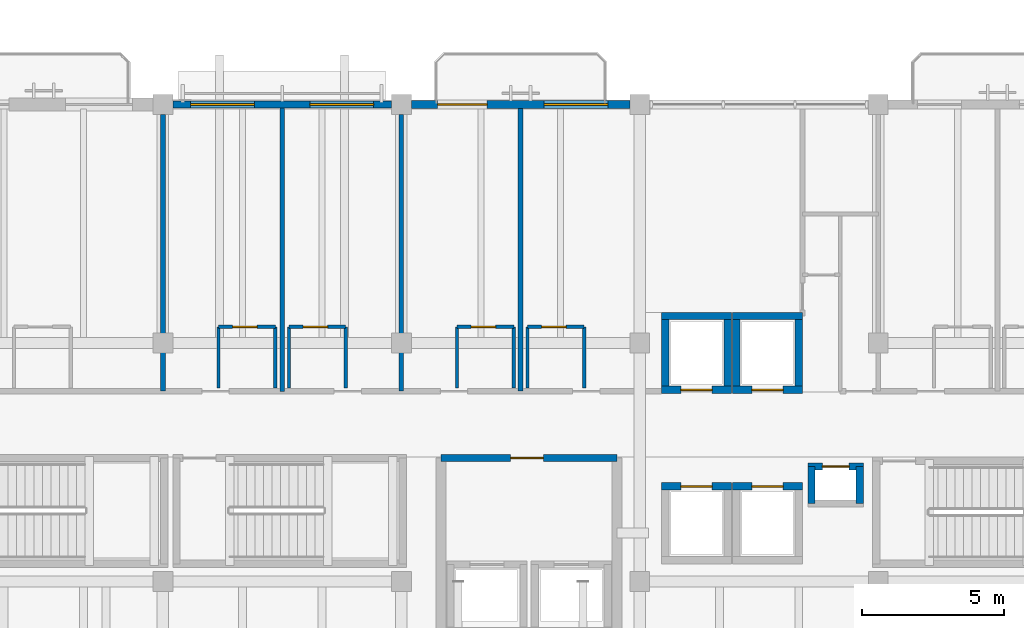
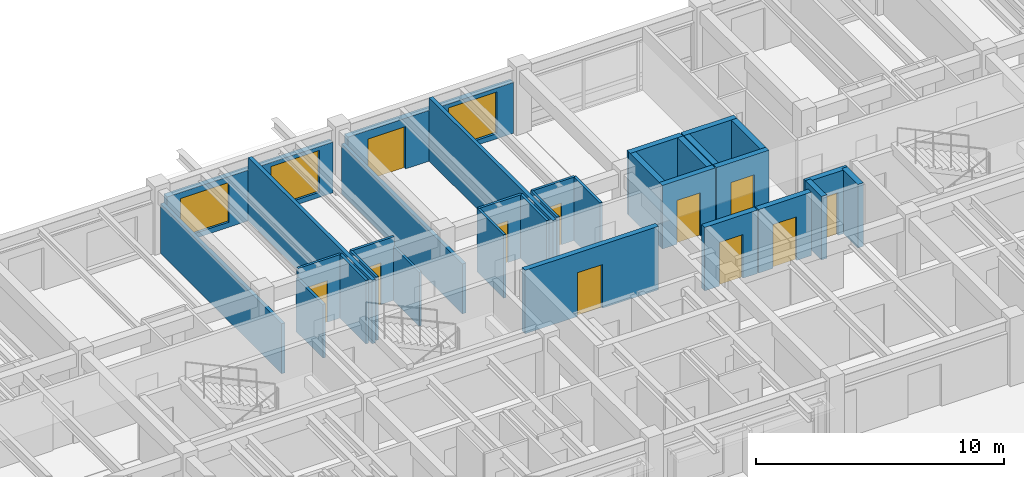
# One storey, part 90 of 111: 32 walls, 11 doors, 3 windows, 14 openings.
"""IFC4 building model written with IfcOpenShell, lengths in metres."""

from ifc_helpers import new_model, si_unit, direction, frame, frame_2d, origin, place, context, subcontext, project, spatial, rectangle, extrude, material, layer, layer_set, type_object, element, fill, save


model = new_model("IFC4")

# Units and contexts
model_context = context("Model", 3, precision=1e-05, world=origin(), true_north=direction((0.0, 1.0)))
body_context = subcontext(model_context, "Body", "Model", "MODEL_VIEW")
ifc_project = project(units=[si_unit("LENGTHUNIT", "METRE"), si_unit("AREAUNIT", "SQUARE_METRE"), si_unit("VOLUMEUNIT", "CUBIC_METRE"), si_unit("PLANEANGLEUNIT", "RADIAN"), si_unit("MASSUNIT", "GRAM", prefix="KILO")], contexts=[model_context])

# Site, building, storey
site_placement = place(None, origin())
site = spatial("IfcSite", under=ifc_project, at=site_placement, CompositionType="ELEMENT")
building_placement = place(site_placement, origin())
building = spatial("IfcBuilding", under=site, at=building_placement, Name="Cumbredor Promenade Congress Hotel", CompositionType="ELEMENT")
storey_placement = place(building_placement, frame((0.0, 0.0, 15.1201171875)))
storey = spatial("IfcBuildingStorey", under=building, at=storey_placement, Name="L04", CompositionType="ELEMENT", Elevation=15.1201171875)

# Wall, opening, door
ifc_material_1 = material(Name="Moisture-resistant gypsum board on steel studs", Category="steel")
ifc_layer_1 = layer(ifc_material_1, 0.114990234375, Name="Moisture-resistant gypsum board on steel studs", Category="steel")
ifc_layer_set_1 = layer_set([ifc_layer_1], Name="Moisture-resistant gypsum board on steel studs")
wall_type_1 = type_object("IfcWallType", Name="WL-BATH-115", PredefinedType="PARTITIONING", material=ifc_layer_set_1)
wall_1_placement = place(storey_placement, frame((18.760009765625, 109.77001953125, 0.0), z_axis=(0.0, 0.0, 1.0), x_axis=(1.0, 0.0, 0.0)))
wall_1 = element("IfcWall", 1, at=wall_1_placement, inside=storey, type_object=wall_type_1, Name="L04 Interior Partition W-L04-BH-0404", PredefinedType="PARTITIONING", context=body_context, shape_type="SweptSolid", body=[
    extrude(rectangle(XDim=2.0, YDim=0.114990234375, at=frame_2d((1.0, 0.0))), origin(), (0.0, 0.0, 1.0), 3.119873046875),
])
opening_1_placement = place(wall_1_placement, frame((0.5, 0.0, 0.0)))
opening_1 = element("IfcOpeningElement", 2, at=opening_1_placement, cuts=wall_1, Name="Opening ID-01", PredefinedType="OPENING", context=body_context, shape_type="SweptSolid", body=[
    extrude(rectangle(XDim=0.860107421875, YDim=2.050048828125, at=frame_2d((0.43017578125, 1.02490234375))), frame((0.0, 0.0673828125, 0.0), z_axis=(0.0, -1.0, 0.0), x_axis=(1.0, 0.0, 0.0)), (0.0, 0.0, 1.0), 0.135009765625),
])
ifc_material_2 = material(Name="Kiln-dried tropical hardwood", Category="wood")
door_type_1 = type_object("IfcDoorType", Name="DR-BATH-860", OperationType="NOTDEFINED", PredefinedType="DOOR", material=ifc_material_2)
door_1_placement = place(opening_1_placement, origin())
door_1 = element("IfcDoor", 3, at=door_1_placement, inside=storey, type_object=door_type_1, Name="L04 Interior Door W-L04-BH-0404-01", OperationType="SINGLE_SWING_LEFT", OverallHeight=2.050048828125, OverallWidth=0.860107421875, PredefinedType="DOOR", context=body_context, shape_type="SweptSolid", body=[
    extrude(rectangle(XDim=0.860107421875, YDim=2.050048828125, at=frame_2d((0.43017578125, 1.02490234375))), frame((0.0, 0.02490234375, 0.0), z_axis=(0.0, -1.0, 0.0), x_axis=(1.0, 0.0, 0.0)), (0.0, 0.0, 1.0), 0.050048828125),
])
fill(opening_1, door_1)

# Walls
wall_2_placement = place(storey_placement, frame((18.760009765625, 107.6201171875, 0.0), z_axis=(0.0, 0.0, 1.0), x_axis=(0.0, 1.0, 0.0)))
element("IfcWall", 4, at=wall_2_placement, inside=storey, type_object=wall_type_1, Name="L04 Interior Partition W-L04-BV1-0404", PredefinedType="PARTITIONING", context=body_context, shape_type="SweptSolid", body=[
    extrude(rectangle(XDim=2.14990234375, YDim=0.114990234375, at=frame_2d((1.074951171875, 0.0))), origin(), (0.0, 0.0, 1.0), 2.641845703125),
])
wall_3_placement = place(storey_placement, frame((20.760009765625, 107.6201171875, 0.0), z_axis=(0.0, 0.0, 1.0), x_axis=(0.0, 1.0, 0.0)))
element("IfcWall", 5, at=wall_3_placement, inside=storey, type_object=wall_type_1, Name="L04 Interior Partition W-L04-BV2-0404", PredefinedType="PARTITIONING", context=body_context, shape_type="SweptSolid", body=[
    extrude(rectangle(XDim=2.14990234375, YDim=0.114990234375, at=frame_2d((1.074951171875, 0.0))), origin(), (0.0, 0.0, 1.0), 3.119873046875),
])

# Wall, opening, door
wall_4_placement = place(storey_placement, frame((21.239990234375, 109.77001953125, 0.0), z_axis=(0.0, 0.0, 1.0), x_axis=(1.0, 0.0, 0.0)))
wall_4 = element("IfcWall", 6, at=wall_4_placement, inside=storey, type_object=wall_type_1, Name="L04 Interior Partition W-L04-BH-0405", PredefinedType="PARTITIONING", context=body_context, shape_type="SweptSolid", body=[
    extrude(rectangle(XDim=2.0, YDim=0.114990234375, at=frame_2d((1.0, 0.0))), origin(), (0.0, 0.0, 1.0), 3.119873046875),
])
opening_2_placement = place(wall_4_placement, frame((0.5, 0.0, 0.0)))
opening_2 = element("IfcOpeningElement", 7, at=opening_2_placement, cuts=wall_4, Name="Opening ID-01", PredefinedType="OPENING", context=body_context, shape_type="SweptSolid", body=[
    extrude(rectangle(XDim=0.860107421875, YDim=2.050048828125, at=frame_2d((0.43017578125, 1.02490234375))), frame((0.0, 0.0673828125, 0.0), z_axis=(0.0, -1.0, 0.0), x_axis=(1.0, 0.0, 0.0)), (0.0, 0.0, 1.0), 0.135009765625),
])
door_2_placement = place(opening_2_placement, origin())
door_2 = element("IfcDoor", 8, at=door_2_placement, inside=storey, type_object=door_type_1, Name="L04 Interior Door W-L04-BH-0405-01", OperationType="SINGLE_SWING_RIGHT", OverallHeight=2.050048828125, OverallWidth=0.860107421875, PredefinedType="DOOR", context=body_context, shape_type="SweptSolid", body=[
    extrude(rectangle(XDim=0.860107421875, YDim=2.050048828125, at=frame_2d((0.43017578125, 1.02490234375))), frame((0.0, 0.02490234375, 0.0), z_axis=(0.0, -1.0, 0.0), x_axis=(1.0, 0.0, 0.0)), (0.0, 0.0, 1.0), 0.050048828125),
])
fill(opening_2, door_2)

# Walls
wall_5_placement = place(storey_placement, frame((21.239990234375, 107.6201171875, 0.0), z_axis=(0.0, 0.0, 1.0), x_axis=(0.0, 1.0, 0.0)))
element("IfcWall", 9, at=wall_5_placement, inside=storey, type_object=wall_type_1, Name="L04 Interior Partition W-L04-BV1-0405", PredefinedType="PARTITIONING", context=body_context, shape_type="SweptSolid", body=[
    extrude(rectangle(XDim=2.14990234375, YDim=0.114990234375, at=frame_2d((1.074951171875, 0.0))), origin(), (0.0, 0.0, 1.0), 3.119873046875),
])
wall_6_placement = place(storey_placement, frame((23.239990234375, 107.6201171875, 0.0), z_axis=(0.0, 0.0, 1.0), x_axis=(0.0, 1.0, 0.0)))
element("IfcWall", 10, at=wall_6_placement, inside=storey, type_object=wall_type_1, Name="L04 Interior Partition W-L04-BV2-0405", PredefinedType="PARTITIONING", context=body_context, shape_type="SweptSolid", body=[
    extrude(rectangle(XDim=2.14990234375, YDim=0.114990234375, at=frame_2d((1.074951171875, 0.0))), origin(), (0.0, 0.0, 1.0), 2.641845703125),
])

# Wall, opening, door
wall_7_placement = place(storey_placement, frame((27.159912109375, 109.77001953125, 0.0), z_axis=(0.0, 0.0, 1.0), x_axis=(1.0, 0.0, 0.0)))
wall_7 = element("IfcWall", 11, at=wall_7_placement, inside=storey, type_object=wall_type_1, Name="L04 Interior Partition W-L04-BH-0406", PredefinedType="PARTITIONING", context=body_context, shape_type="SweptSolid", body=[
    extrude(rectangle(XDim=2.0, YDim=0.114990234375, at=frame_2d((1.0, 0.0))), origin(), (0.0, 0.0, 1.0), 3.119873046875),
])
opening_3_placement = place(wall_7_placement, frame((0.5, 0.0, 0.0)))
opening_3 = element("IfcOpeningElement", 12, at=opening_3_placement, cuts=wall_7, Name="Opening ID-01", PredefinedType="OPENING", context=body_context, shape_type="SweptSolid", body=[
    extrude(rectangle(XDim=0.860107421875, YDim=2.050048828125, at=frame_2d((0.43017578125, 1.02490234375))), frame((0.0, 0.0673828125, 0.0), z_axis=(0.0, -1.0, 0.0), x_axis=(1.0, 0.0, 0.0)), (0.0, 0.0, 1.0), 0.135009765625),
])
door_3_placement = place(opening_3_placement, origin())
door_3 = element("IfcDoor", 13, at=door_3_placement, inside=storey, type_object=door_type_1, Name="L04 Interior Door W-L04-BH-0406-01", OperationType="SINGLE_SWING_LEFT", OverallHeight=2.050048828125, OverallWidth=0.860107421875, PredefinedType="DOOR", context=body_context, shape_type="SweptSolid", body=[
    extrude(rectangle(XDim=0.860107421875, YDim=2.050048828125, at=frame_2d((0.43017578125, 1.02490234375))), frame((0.0, 0.02490234375, 0.0), z_axis=(0.0, -1.0, 0.0), x_axis=(1.0, 0.0, 0.0)), (0.0, 0.0, 1.0), 0.050048828125),
])
fill(opening_3, door_3)

# Walls
for number, where, z_axis, x_axis, name in (
    (14, (27.159912109375, 107.6201171875, 0.0), (0.0, 0.0, 1.0), (0.0, 1.0, 0.0), "L04 Interior Partition W-L04-BV1-0406"),
    (15, (29.159912109375, 107.6201171875, 0.0), (0.0, 0.0, 1.0), (0.0, 1.0, 0.0), "L04 Interior Partition W-L04-BV2-0406"),
):
    element("IfcWall", number, at=place(storey_placement, frame(where, z_axis=z_axis, x_axis=x_axis)), inside=storey, type_object=wall_type_1, Name=name, PredefinedType="PARTITIONING", context=body_context, shape_type="SweptSolid", body=[
        extrude(rectangle(XDim=2.14990234375, YDim=0.114990234375, at=frame_2d((1.074951171875, 0.0))), origin(), (0.0, 0.0, 1.0), 3.119873046875),
    ])

# Wall, opening, door
wall_8_placement = place(storey_placement, frame((29.639892578125, 109.77001953125, 0.0), z_axis=(0.0, 0.0, 1.0), x_axis=(1.0, 0.0, 0.0)))
wall_8 = element("IfcWall", 16, at=wall_8_placement, inside=storey, type_object=wall_type_1, Name="L04 Interior Partition W-L04-BH-0407", PredefinedType="PARTITIONING", context=body_context, shape_type="SweptSolid", body=[
    extrude(rectangle(XDim=2.0, YDim=0.114990234375, at=frame_2d((1.0, 0.0))), origin(), (0.0, 0.0, 1.0), 3.119873046875),
])
opening_4_placement = place(wall_8_placement, frame((0.5, 0.0, 0.0)))
opening_4 = element("IfcOpeningElement", 17, at=opening_4_placement, cuts=wall_8, Name="Opening ID-01", PredefinedType="OPENING", context=body_context, shape_type="SweptSolid", body=[
    extrude(rectangle(XDim=0.860107421875, YDim=2.050048828125, at=frame_2d((0.43017578125, 1.02490234375))), frame((0.0, 0.0673828125, 0.0), z_axis=(0.0, -1.0, 0.0), x_axis=(1.0, 0.0, 0.0)), (0.0, 0.0, 1.0), 0.135009765625),
])
door_4_placement = place(opening_4_placement, origin())
door_4 = element("IfcDoor", 18, at=door_4_placement, inside=storey, type_object=door_type_1, Name="L04 Interior Door W-L04-BH-0407-01", OperationType="SINGLE_SWING_RIGHT", OverallHeight=2.050048828125, OverallWidth=0.860107421875, PredefinedType="DOOR", context=body_context, shape_type="SweptSolid", body=[
    extrude(rectangle(XDim=0.860107421875, YDim=2.050048828125, at=frame_2d((0.43017578125, 1.02490234375))), frame((0.0, 0.02490234375, 0.0), z_axis=(0.0, -1.0, 0.0), x_axis=(1.0, 0.0, 0.0)), (0.0, 0.0, 1.0), 0.050048828125),
])
fill(opening_4, door_4)

# Walls
for number, where, z_axis, x_axis, name in (
    (19, (29.639892578125, 107.6201171875, 0.0), (0.0, 0.0, 1.0), (0.0, 1.0, 0.0), "L04 Interior Partition W-L04-BV1-0407"),
    (20, (31.639892578125, 107.6201171875, 0.0), (0.0, 0.0, 1.0), (0.0, 1.0, 0.0), "L04 Interior Partition W-L04-BV2-0407"),
):
    element("IfcWall", number, at=place(storey_placement, frame(where, z_axis=z_axis, x_axis=x_axis)), inside=storey, type_object=wall_type_1, Name=name, PredefinedType="PARTITIONING", context=body_context, shape_type="SweptSolid", body=[
        extrude(rectangle(XDim=2.14990234375, YDim=0.114990234375, at=frame_2d((1.074951171875, 0.0))), origin(), (0.0, 0.0, 1.0), 3.119873046875),
    ])

# Wall, openings, windows
ifc_material_3 = material(Name="Concrete C40/50", Category="concrete")
ifc_layer_2 = layer(ifc_material_3, 0.260009765625, Name="Concrete C40/50", Category="concrete")
ifc_layer_set_2 = layer_set([ifc_layer_2], Name="Concrete C40/50")
wall_type_2 = type_object("IfcWallType", Name="WL-EXT-260", PredefinedType="SOLIDWALL", material=ifc_layer_set_2)
wall_9_placement = place(storey_placement, frame((17.15087890625, 117.60009765625, 0.0), z_axis=(0.0, 0.0, 1.0), x_axis=(1.0, 0.0, 0.0)))
wall_9 = element("IfcWall", 21, at=wall_9_placement, inside=storey, type_object=wall_type_2, Name="L04 Stepped Congress Hotel Wing North Envelope Wall 3", PredefinedType="SOLIDWALL", context=body_context, shape_type="SweptSolid", body=[
    extrude(rectangle(XDim=7.6982421875, YDim=0.260009765625, at=frame_2d((3.84912109375, 0.0))), origin(), (0.0, 0.0, 1.0), 2.493896484375),
])
opening_5_placement = place(wall_9_placement, frame((0.6240234375, 0.0, 0.25)))
opening_5 = element("IfcOpeningElement", 22, at=opening_5_placement, cuts=wall_9, Name="Opening WN-07", PredefinedType="OPENING", context=body_context, shape_type="SweptSolid", body=[
    extrude(rectangle(XDim=2.25, YDim=1.949951171875, at=frame_2d((1.125, 0.97509765625))), frame((0.0, 0.14013671875, 0.0), z_axis=(0.0, -1.0, 0.0), x_axis=(1.0, 0.0, 0.0)), (0.0, 0.0, 1.0), 0.280029296875),
])
opening_6_placement = place(wall_9_placement, frame((4.823974609375, 0.0, 0.25)))
opening_6 = element("IfcOpeningElement", 23, at=opening_6_placement, cuts=wall_9, Name="Opening WN-13", PredefinedType="OPENING", context=body_context, shape_type="SweptSolid", body=[
    extrude(rectangle(XDim=2.25, YDim=2.050048828125, at=frame_2d((1.125, 1.02490234375))), frame((0.0, 0.14013671875, 0.0), z_axis=(0.0, -1.0, 0.0), x_axis=(1.0, 0.0, 0.0)), (0.0, 0.0, 1.0), 0.280029296875),
])
ifc_material_4 = material(Name="Thermally broken anodized aluminium and low-E glass", Category="aluminium")
window_type_1 = type_object("IfcWindowType", Name="Hospitality Floor-to-Ceiling Window WN-07 2250x1950", PartitioningType="DOUBLE_PANEL_VERTICAL", PredefinedType="WINDOW", material=ifc_material_4)
window_1_placement = place(opening_5_placement, origin())
window_1 = element("IfcWindow", 24, at=window_1_placement, inside=storey, type_object=window_type_1, Name="L04 Wide Hospitality Window 0492", OverallHeight=1.949951171875, OverallWidth=2.25, PartitioningType="DOUBLE_PANEL_VERTICAL", PredefinedType="WINDOW", context=body_context, shape_type="SweptSolid", body=[
    extrude(rectangle(XDim=2.25, YDim=1.949951171875, at=frame_2d((1.125, 0.97509765625))), frame((0.0, 0.030029296875, 0.0), z_axis=(0.0, -1.0, 0.0), x_axis=(1.0, 0.0, 0.0)), (0.0, 0.0, 1.0), 0.06005859375),
])
fill(opening_5, window_1)
window_type_2 = type_object("IfcWindowType", Name="Hospitality Floor-to-Ceiling Window WN-13 2250x2050", PartitioningType="DOUBLE_PANEL_VERTICAL", PredefinedType="WINDOW", material=ifc_material_4)
window_2_placement = place(opening_6_placement, origin())
window_2 = element("IfcWindow", 25, at=window_2_placement, inside=storey, type_object=window_type_2, Name="L04 Wide Hospitality Window 0493", OverallHeight=2.050048828125, OverallWidth=2.25, PartitioningType="DOUBLE_PANEL_VERTICAL", PredefinedType="WINDOW", context=body_context, shape_type="SweptSolid", body=[
    extrude(rectangle(XDim=2.25, YDim=2.050048828125, at=frame_2d((1.125, 1.02490234375))), frame((0.0, 0.030029296875, 0.0), z_axis=(0.0, -1.0, 0.0), x_axis=(1.0, 0.0, 0.0)), (0.0, 0.0, 1.0), 0.06005859375),
])
fill(opening_6, window_2)

# Wall, openings, door, window
ifc_layer_3 = layer(ifc_material_3, 0.280029296875, Name="Concrete C40/50", Category="concrete")
ifc_layer_set_3 = layer_set([ifc_layer_3], Name="Concrete C40/50")
wall_type_3 = type_object("IfcWallType", Name="WL-EXT-280", PredefinedType="SOLIDWALL", material=ifc_layer_set_3)
wall_10_placement = place(storey_placement, frame((25.551025390625, 117.60009765625, 0.0), z_axis=(0.0, 0.0, 1.0), x_axis=(1.0, 0.0, 0.0)))
wall_10 = element("IfcWall", 26, at=wall_10_placement, inside=storey, type_object=wall_type_3, Name="L04 Stepped Congress Hotel Wing North Envelope Wall 4", PredefinedType="SOLIDWALL", context=body_context, shape_type="SweptSolid", body=[
    extrude(rectangle(XDim=7.697998046875, YDim=0.280029296875, at=frame_2d((3.84912109375, 0.0))), origin(), (0.0, 0.0, 1.0), 2.493896484375),
])
opening_7_placement = place(wall_10_placement, frame((0.924072265625, 0.0, 0.0)))
opening_7 = element("IfcOpeningElement", 27, at=opening_7_placement, cuts=wall_10, Name="Opening TD-03", PredefinedType="OPENING", context=body_context, shape_type="SweptSolid", body=[
    extrude(rectangle(XDim=1.75, YDim=2.080078125, at=frame_2d((0.875, 1.0400390625))), frame((0.0, 0.14990234375, 0.0), z_axis=(0.0, -1.0, 0.0), x_axis=(1.0, 0.0, 0.0)), (0.0, 0.0, 1.0), 0.300048828125),
])
opening_8_placement = place(wall_10_placement, frame((4.674072265625, 0.0, 0.25)))
opening_8 = element("IfcOpeningElement", 28, at=opening_8_placement, cuts=wall_10, Name="Opening WN-13", PredefinedType="OPENING", context=body_context, shape_type="SweptSolid", body=[
    extrude(rectangle(XDim=2.25, YDim=2.050048828125, at=frame_2d((1.125, 1.02490234375))), frame((0.0, 0.14990234375, 0.0), z_axis=(0.0, -1.0, 0.0), x_axis=(1.0, 0.0, 0.0)), (0.0, 0.0, 1.0), 0.300048828125),
])
ifc_material_5 = material(Name="Thermally broken anodized aluminium and laminated safety glass", Category="aluminium")
door_type_2 = type_object("IfcDoorType", Name="EXT-DR-TER-1750x2080", OperationType="DOUBLE_DOOR_SINGLE_SWING", PredefinedType="DOOR", material=ifc_material_5)
door_5_placement = place(opening_7_placement, origin())
door_5 = element("IfcDoor", 29, at=door_5_placement, inside=storey, type_object=door_type_2, Name="L04 Guestroom Veranda Balcony Door 053", OperationType="DOUBLE_DOOR_SINGLE_SWING", OverallHeight=2.080078125, OverallWidth=1.75, PredefinedType="DOOR", context=body_context, shape_type="SweptSolid", body=[
    extrude(rectangle(XDim=1.75, YDim=2.080078125, at=frame_2d((0.875, 1.0400390625))), frame((0.0, 0.02490234375, 0.0), z_axis=(0.0, -1.0, 0.0), x_axis=(1.0, 0.0, 0.0)), (0.0, 0.0, 1.0), 0.050048828125),
])
fill(opening_7, door_5)
window_3_placement = place(opening_8_placement, origin())
window_3 = element("IfcWindow", 30, at=window_3_placement, inside=storey, type_object=window_type_2, Name="L04 Veranda Companion Floor-to-Ceiling Window 0494", OverallHeight=2.050048828125, OverallWidth=2.25, PartitioningType="DOUBLE_PANEL_VERTICAL", PredefinedType="WINDOW", context=body_context, shape_type="SweptSolid", body=[
    extrude(rectangle(XDim=2.25, YDim=2.050048828125, at=frame_2d((1.125, 1.02490234375))), frame((0.0, 0.030029296875, 0.0), z_axis=(0.0, -1.0, 0.0), x_axis=(1.0, 0.0, 0.0)), (0.0, 0.0, 1.0), 0.06005859375),
])
fill(opening_8, window_3)

# Wall, opening, door
ifc_layer_4 = layer(ifc_material_3, 0.239990234375, Name="Concrete C40/50", Category="concrete")
ifc_layer_set_4 = layer_set([ifc_layer_4], Name="Concrete C40/50")
wall_type_4 = type_object("IfcWallType", Name="WL-FFL-240", PredefinedType="SOLIDWALL", material=ifc_layer_set_4)
wall_11_placement = place(storey_placement, frame((26.60009765625, 105.14990234375, 0.0), z_axis=(0.0, 0.0, 1.0), x_axis=(1.0, 0.0, 0.0)))
wall_11 = element("IfcWall", 31, at=wall_11_placement, inside=storey, type_object=wall_type_4, Name="L04 Interior Partition W-FFL-L04-N", PredefinedType="SOLIDWALL", context=body_context, shape_type="SweptSolid", body=[
    extrude(rectangle(XDim=6.199951171875, YDim=0.239990234375, at=frame_2d((3.10009765625, 0.0))), origin(), (0.0, 0.0, 1.0), 3.119873046875),
])
opening_9_placement = place(wall_11_placement, frame((2.449951171875, 0.0, 0.0)))
opening_9 = element("IfcOpeningElement", 32, at=opening_9_placement, cuts=wall_11, Name="Opening FD-05", PredefinedType="OPENING", context=body_context, shape_type="SweptSolid", body=[
    extrude(rectangle(XDim=1.14990234375, YDim=2.14990234375, at=frame_2d((0.574951171875, 1.074951171875))), frame((0.0, 0.1298828125, 0.0), z_axis=(0.0, -1.0, 0.0), x_axis=(1.0, 0.0, 0.0)), (0.0, 0.0, 1.0), 0.260009765625),
])
ifc_material_6 = material(Name="Painted galvanized steel fire door", Category="steel")
door_type_3 = type_object("IfcDoorType", Name="DR-SGL-FD60-1150", OperationType="NOTDEFINED", PredefinedType="DOOR", material=ifc_material_6)
door_6_placement = place(opening_9_placement, origin())
door_6 = element("IfcDoor", 33, at=door_6_placement, inside=storey, type_object=door_type_3, Name="L04 Interior Door W-FFL-L04-N-01", OperationType="SINGLE_SWING_LEFT", OverallHeight=2.14990234375, OverallWidth=1.14990234375, PredefinedType="DOOR", context=body_context, shape_type="SweptSolid", body=[
    extrude(rectangle(XDim=1.14990234375, YDim=2.14990234375, at=frame_2d((0.574951171875, 1.074951171875))), frame((0.0, 0.02490234375, 0.0), z_axis=(0.0, -1.0, 0.0), x_axis=(1.0, 0.0, 0.0)), (0.0, 0.0, 1.0), 0.050048828125),
])
fill(opening_9, door_6)

ifc_layer_5 = layer(ifc_material_3, 0.2548828125, Name="Concrete C40/50", Category="concrete")
ifc_layer_set_5 = layer_set([ifc_layer_5], Name="Concrete C40/50")
wall_type_5 = type_object("IfcWallType", Name="WL-SHAFT-250", PredefinedType="SOLIDWALL", material=ifc_layer_set_5)
wall_12_placement = place(storey_placement, frame((34.37255859375, 107.550048828125, 0.0), z_axis=(0.0, 0.0, 1.0), x_axis=(1.0, 0.0, 0.0)))
wall_12 = element("IfcWall", 34, at=wall_12_placement, inside=storey, type_object=wall_type_5, Name="SHAFT-PL-01-L04 Shaft Wall South", PredefinedType="SOLIDWALL", context=body_context, shape_type="SweptSolid", body=[
    extrude(rectangle(XDim=2.454833984375, YDim=0.2548828125, at=frame_2d((1.2275390625, 0.0))), origin(), (0.0, 0.0, 1.0), 3.119873046875),
])
opening_10_placement = place(wall_12_placement, frame((0.677490234375, 0.0, 0.0)))
opening_10 = element("IfcOpeningElement", 35, at=opening_10_placement, cuts=wall_12, Name="Opening LD-01", PredefinedType="OPENING", context=body_context, shape_type="SweptSolid", body=[
    extrude(rectangle(XDim=1.10009765625, YDim=2.14990234375, at=frame_2d((0.550048828125, 1.074951171875))), frame((0.0, 0.137451171875, 0.0), z_axis=(0.0, -1.0, 0.0), x_axis=(1.0, 0.0, 0.0)), (0.0, 0.0, 1.0), 0.27490234375),
])
ifc_material_7 = material(Name="Brushed stainless steel", Category="steel")
door_type_4 = type_object("IfcDoorType", Name="Lift Landing Sliding Door LD-01 1100x2150", OperationType="DOUBLE_DOOR_SLIDING", PredefinedType="DOOR", material=ifc_material_7)
door_7_placement = place(opening_10_placement, origin())
door_7 = element("IfcDoor", 36, at=door_7_placement, inside=storey, type_object=door_type_4, Name="L04 Hotel Passenger Lift PL-01 Sliding Landing Door", OperationType="DOUBLE_DOOR_SLIDING", OverallHeight=2.14990234375, OverallWidth=1.10009765625, PredefinedType="DOOR", context=body_context, shape_type="SweptSolid", body=[
    extrude(rectangle(XDim=1.10009765625, YDim=2.14990234375, at=frame_2d((0.550048828125, 1.074951171875))), frame((0.0, 0.02490234375, 0.0), z_axis=(0.0, -1.0, 0.0), x_axis=(1.0, 0.0, 0.0)), (0.0, 0.0, 1.0), 0.050048828125),
])
fill(opening_10, door_7)

# Walls
wall_13_placement = place(storey_placement, frame((34.37255859375, 110.14990234375, 0.0), z_axis=(0.0, 0.0, 1.0), x_axis=(1.0, 0.0, 0.0)))
element("IfcWall", 37, at=wall_13_placement, inside=storey, type_object=wall_type_5, Name="SHAFT-PL-01-L04 Shaft Wall North", PredefinedType="SOLIDWALL", context=body_context, shape_type="SweptSolid", body=[
    extrude(rectangle(XDim=2.454833984375, YDim=0.2548828125, at=frame_2d((1.2275390625, 0.0))), origin(), (0.0, 0.0, 1.0), 3.119873046875),
])
for number, where, z_axis, x_axis, name in (
    (38, (34.5, 107.550048828125, 0.0), (0.0, 0.0, 1.0), (0.0, 1.0, 0.0), "SHAFT-PL-01-L04 Shaft Wall West"),
    (39, (36.699951171875, 107.550048828125, 0.0), (0.0, 0.0, 1.0), (0.0, 1.0, 0.0), "SHAFT-PL-01-L04 Shaft Wall East"),
):
    element("IfcWall", number, at=place(storey_placement, frame(where, z_axis=z_axis, x_axis=x_axis)), inside=storey, type_object=wall_type_5, Name=name, PredefinedType="SOLIDWALL", context=body_context, shape_type="SweptSolid", body=[
        extrude(rectangle(XDim=2.599853515625, YDim=0.2548828125, at=frame_2d((1.2998046875, 0.0))), origin(), (0.0, 0.0, 1.0), 3.119873046875),
    ])

# Wall, opening, door
wall_14_placement = place(storey_placement, frame((36.87255859375, 107.550048828125, 0.0), z_axis=(0.0, 0.0, 1.0), x_axis=(1.0, 0.0, 0.0)))
wall_14 = element("IfcWall", 40, at=wall_14_placement, inside=storey, type_object=wall_type_5, Name="SHAFT-PL-02-L04 Shaft Wall South", PredefinedType="SOLIDWALL", context=body_context, shape_type="SweptSolid", body=[
    extrude(rectangle(XDim=2.454833984375, YDim=0.2548828125, at=frame_2d((1.2275390625, 0.0))), origin(), (0.0, 0.0, 1.0), 3.119873046875),
])
opening_11_placement = place(wall_14_placement, frame((0.677490234375, 0.0, 0.0)))
opening_11 = element("IfcOpeningElement", 41, at=opening_11_placement, cuts=wall_14, Name="Opening LD-01", PredefinedType="OPENING", context=body_context, shape_type="SweptSolid", body=[
    extrude(rectangle(XDim=1.10009765625, YDim=2.14990234375, at=frame_2d((0.550048828125, 1.074951171875))), frame((0.0, 0.137451171875, 0.0), z_axis=(0.0, -1.0, 0.0), x_axis=(1.0, 0.0, 0.0)), (0.0, 0.0, 1.0), 0.27490234375),
])
door_8_placement = place(opening_11_placement, origin())
door_8 = element("IfcDoor", 42, at=door_8_placement, inside=storey, type_object=door_type_4, Name="L04 Hotel Passenger Lift PL-02 Sliding Landing Door", OperationType="DOUBLE_DOOR_SLIDING", OverallHeight=2.14990234375, OverallWidth=1.10009765625, PredefinedType="DOOR", context=body_context, shape_type="SweptSolid", body=[
    extrude(rectangle(XDim=1.10009765625, YDim=2.14990234375, at=frame_2d((0.550048828125, 1.074951171875))), frame((0.0, 0.02490234375, 0.0), z_axis=(0.0, -1.0, 0.0), x_axis=(1.0, 0.0, 0.0)), (0.0, 0.0, 1.0), 0.050048828125),
])
fill(opening_11, door_8)

# Walls
wall_15_placement = place(storey_placement, frame((36.87255859375, 110.14990234375, 0.0), z_axis=(0.0, 0.0, 1.0), x_axis=(1.0, 0.0, 0.0)))
element("IfcWall", 43, at=wall_15_placement, inside=storey, type_object=wall_type_5, Name="SHAFT-PL-02-L04 Shaft Wall North", PredefinedType="SOLIDWALL", context=body_context, shape_type="SweptSolid", body=[
    extrude(rectangle(XDim=2.454833984375, YDim=0.2548828125, at=frame_2d((1.2275390625, 0.0))), origin(), (0.0, 0.0, 1.0), 3.119873046875),
])
for number, where, z_axis, x_axis, name in (
    (44, (37.0, 107.550048828125, 0.0), (0.0, 0.0, 1.0), (0.0, 1.0, 0.0), "SHAFT-PL-02-L04 Shaft Wall West"),
    (45, (39.199951171875, 107.550048828125, 0.0), (0.0, 0.0, 1.0), (0.0, 1.0, 0.0), "SHAFT-PL-02-L04 Shaft Wall East"),
):
    element("IfcWall", number, at=place(storey_placement, frame(where, z_axis=z_axis, x_axis=x_axis)), inside=storey, type_object=wall_type_5, Name=name, PredefinedType="SOLIDWALL", context=body_context, shape_type="SweptSolid", body=[
        extrude(rectangle(XDim=2.599853515625, YDim=0.2548828125, at=frame_2d((1.2998046875, 0.0))), origin(), (0.0, 0.0, 1.0), 3.119873046875),
    ])

# Wall, opening, door
wall_16_placement = place(storey_placement, frame((34.37255859375, 104.14990234375, 0.0), z_axis=(0.0, 0.0, 1.0), x_axis=(1.0, 0.0, 0.0)))
wall_16 = element("IfcWall", 46, at=wall_16_placement, inside=storey, type_object=wall_type_5, Name="SHAFT-PL-03-L04 Shaft Wall North", PredefinedType="SOLIDWALL", context=body_context, shape_type="SweptSolid", body=[
    extrude(rectangle(XDim=2.454833984375, YDim=0.2548828125, at=frame_2d((1.2275390625, 0.0))), origin(), (0.0, 0.0, 1.0), 3.119873046875),
])
opening_12_placement = place(wall_16_placement, frame((0.677490234375, 0.0, 0.0)))
opening_12 = element("IfcOpeningElement", 47, at=opening_12_placement, cuts=wall_16, Name="Opening LD-01", PredefinedType="OPENING", context=body_context, shape_type="SweptSolid", body=[
    extrude(rectangle(XDim=1.10009765625, YDim=2.14990234375, at=frame_2d((0.550048828125, 1.074951171875))), frame((0.0, 0.137451171875, 0.0), z_axis=(0.0, -1.0, 0.0), x_axis=(1.0, 0.0, 0.0)), (0.0, 0.0, 1.0), 0.27490234375),
])
door_9_placement = place(opening_12_placement, origin())
door_9 = element("IfcDoor", 48, at=door_9_placement, inside=storey, type_object=door_type_4, Name="L04 Hotel Passenger Lift PL-03 Sliding Landing Door", OperationType="DOUBLE_DOOR_SLIDING", OverallHeight=2.14990234375, OverallWidth=1.10009765625, PredefinedType="DOOR", context=body_context, shape_type="SweptSolid", body=[
    extrude(rectangle(XDim=1.10009765625, YDim=2.14990234375, at=frame_2d((0.550048828125, 1.074951171875))), frame((0.0, 0.02490234375, 0.0), z_axis=(0.0, -1.0, 0.0), x_axis=(1.0, 0.0, 0.0)), (0.0, 0.0, 1.0), 0.050048828125),
])
fill(opening_12, door_9)

wall_17_placement = place(storey_placement, frame((36.87255859375, 104.14990234375, 0.0), z_axis=(0.0, 0.0, 1.0), x_axis=(1.0, 0.0, 0.0)))
wall_17 = element("IfcWall", 49, at=wall_17_placement, inside=storey, type_object=wall_type_5, Name="SHAFT-PL-04-L04 Shaft Wall North", PredefinedType="SOLIDWALL", context=body_context, shape_type="SweptSolid", body=[
    extrude(rectangle(XDim=2.454833984375, YDim=0.2548828125, at=frame_2d((1.2275390625, 0.0))), origin(), (0.0, 0.0, 1.0), 3.119873046875),
])
opening_13_placement = place(wall_17_placement, frame((0.677490234375, 0.0, 0.0)))
opening_13 = element("IfcOpeningElement", 50, at=opening_13_placement, cuts=wall_17, Name="Opening LD-01", PredefinedType="OPENING", context=body_context, shape_type="SweptSolid", body=[
    extrude(rectangle(XDim=1.10009765625, YDim=2.14990234375, at=frame_2d((0.550048828125, 1.074951171875))), frame((0.0, 0.137451171875, 0.0), z_axis=(0.0, -1.0, 0.0), x_axis=(1.0, 0.0, 0.0)), (0.0, 0.0, 1.0), 0.27490234375),
])
door_10_placement = place(opening_13_placement, origin())
door_10 = element("IfcDoor", 51, at=door_10_placement, inside=storey, type_object=door_type_4, Name="L04 Hotel Passenger Lift PL-04 Sliding Landing Door", OperationType="DOUBLE_DOOR_SLIDING", OverallHeight=2.14990234375, OverallWidth=1.10009765625, PredefinedType="DOOR", context=body_context, shape_type="SweptSolid", body=[
    extrude(rectangle(XDim=1.10009765625, YDim=2.14990234375, at=frame_2d((0.550048828125, 1.074951171875))), frame((0.0, 0.02490234375, 0.0), z_axis=(0.0, -1.0, 0.0), x_axis=(1.0, 0.0, 0.0)), (0.0, 0.0, 1.0), 0.050048828125),
])
fill(opening_13, door_10)

wall_18_placement = place(storey_placement, frame((39.5224609375, 104.85009765625, 0.0), z_axis=(0.0, 0.0, 1.0), x_axis=(1.0, 0.0, 0.0)))
wall_18 = element("IfcWall", 52, at=wall_18_placement, inside=storey, type_object=wall_type_5, Name="RISER-MEP-R1-L04 Shaft Wall North", PredefinedType="SOLIDWALL", context=body_context, shape_type="SweptSolid", body=[
    extrude(rectangle(XDim=1.955078125, YDim=0.2548828125, at=frame_2d((0.9775390625, 0.0))), origin(), (0.0, 0.0, 1.0), 3.119873046875),
])
opening_14_placement = place(wall_18_placement, frame((0.507568359375, 0.0, 0.0)))
opening_14 = element("IfcOpeningElement", 53, at=opening_14_placement, cuts=wall_18, Name="Opening FD-03", PredefinedType="OPENING", context=body_context, shape_type="SweptSolid", body=[
    extrude(rectangle(XDim=0.93994140625, YDim=2.10009765625, at=frame_2d((0.469970703125, 1.050048828125))), frame((0.0, 0.137451171875, 0.0), z_axis=(0.0, -1.0, 0.0), x_axis=(1.0, 0.0, 0.0)), (0.0, 0.0, 1.0), 0.27490234375),
])
door_type_5 = type_object("IfcDoorType", Name="DR-SGL-FD60-950", OperationType="NOTDEFINED", PredefinedType="DOOR", material=ifc_material_6)
door_11_placement = place(opening_14_placement, origin())
door_11 = element("IfcDoor", 54, at=door_11_placement, inside=storey, type_object=door_type_5, Name="L04 Hotel MEP Riser Shaft R1 Access Door", OperationType="SINGLE_SWING_LEFT", OverallHeight=2.10009765625, OverallWidth=0.93994140625, PredefinedType="DOOR", context=body_context, shape_type="SweptSolid", body=[
    extrude(rectangle(XDim=0.93994140625, YDim=2.10009765625, at=frame_2d((0.469970703125, 1.050048828125))), frame((0.0, 0.02490234375, 0.0), z_axis=(0.0, -1.0, 0.0), x_axis=(1.0, 0.0, 0.0)), (0.0, 0.0, 1.0), 0.050048828125),
])
fill(opening_14, door_11)

# Walls
for number, where, z_axis, x_axis, name in (
    (55, (39.64990234375, 103.550048828125, 0.0), (0.0, 0.0, 1.0), (0.0, 1.0, 0.0), "RISER-MEP-R1-L04 Shaft Wall West"),
    (56, (41.35009765625, 103.550048828125, 0.0), (0.0, 0.0, 1.0), (0.0, 1.0, 0.0), "RISER-MEP-R1-L04 Shaft Wall East"),
):
    element("IfcWall", number, at=place(storey_placement, frame(where, z_axis=z_axis, x_axis=x_axis)), inside=storey, type_object=wall_type_5, Name=name, PredefinedType="SOLIDWALL", context=body_context, shape_type="SweptSolid", body=[
        extrude(rectangle(XDim=1.300048828125, YDim=0.2548828125, at=frame_2d((0.64990234375, 0.0))), origin(), (0.0, 0.0, 1.0), 3.119873046875),
    ])
ifc_material_8 = material(Name="Fire-rated acoustic double-stud partition")
ifc_layer_6 = layer(ifc_material_8, 0.1650390625, Name="Fire-rated acoustic double-stud partition")
ifc_layer_set_6 = layer_set([ifc_layer_6], Name="Fire-rated acoustic double-stud partition")
wall_type_6 = type_object("IfcWallType", Name="WL-UNIT-165", PredefinedType="PARTITIONING", material=ifc_layer_set_6)
wall_19_placement = place(storey_placement, frame((21.0, 107.5, 0.0), z_axis=(0.0, 0.0, 1.0), x_axis=(0.0, 1.0, 0.0)))
element("IfcWall", 57, at=wall_19_placement, inside=storey, type_object=wall_type_6, Name="L04 Interior Partition W-L04-N-DIV-2-M", PredefinedType="PARTITIONING", context=body_context, shape_type="SweptSolid", body=[
    extrude(rectangle(XDim=9.969970703125, YDim=0.1650390625, at=frame_2d((4.98486328125, 0.0))), origin(), (0.0, 0.0, 1.0), 3.119873046875),
])
wall_20_placement = place(storey_placement, frame((16.800048828125, 107.5, 0.0), z_axis=(0.0, 0.0, 1.0), x_axis=(0.0, 1.0, 0.0)))
element("IfcWall", 58, at=wall_20_placement, inside=storey, type_object=wall_type_6, Name="L04 Interior Partition W-L04-N-DIV-2-G", PredefinedType="PARTITIONING", context=body_context, shape_type="SweptSolid", body=[
    extrude(rectangle(XDim=9.75, YDim=0.1650390625, at=frame_2d((4.875, 0.0))), origin(), (0.0, 0.0, 1.0), 2.454833984375),
])
wall_21_placement = place(storey_placement, frame((29.39990234375, 107.5, 0.0), z_axis=(0.0, 0.0, 1.0), x_axis=(0.0, 1.0, 0.0)))
element("IfcWall", 59, at=wall_21_placement, inside=storey, type_object=wall_type_6, Name="L04 Interior Partition W-L04-N-DIV-3-M", PredefinedType="PARTITIONING", context=body_context, shape_type="SweptSolid", body=[
    extrude(rectangle(XDim=9.9599609375, YDim=0.1650390625, at=frame_2d((4.97998046875, 0.0))), origin(), (0.0, 0.0, 1.0), 3.119873046875),
])
wall_22_placement = place(storey_placement, frame((25.199951171875, 107.5, 0.0), z_axis=(0.0, 0.0, 1.0), x_axis=(0.0, 1.0, 0.0)))
element("IfcWall", 60, at=wall_22_placement, inside=storey, type_object=wall_type_6, Name="L04 Interior Partition W-L04-N-DIV-3-G", PredefinedType="PARTITIONING", context=body_context, shape_type="SweptSolid", body=[
    extrude(rectangle(XDim=9.75, YDim=0.1650390625, at=frame_2d((4.875, 0.0))), origin(), (0.0, 0.0, 1.0), 2.454833984375),
])

save(model, "model.ifc")
